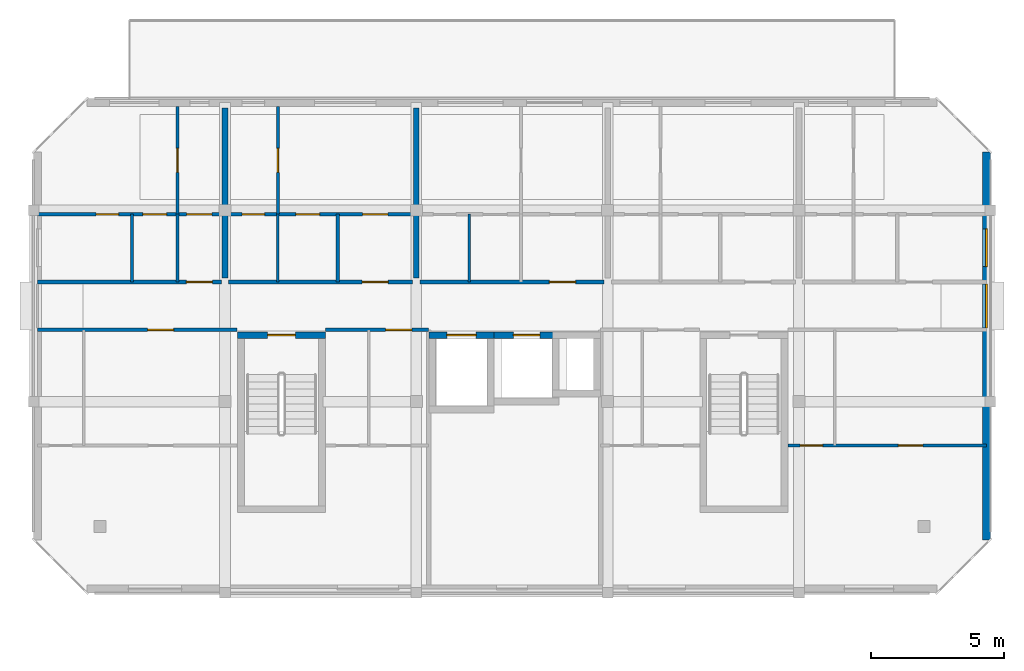
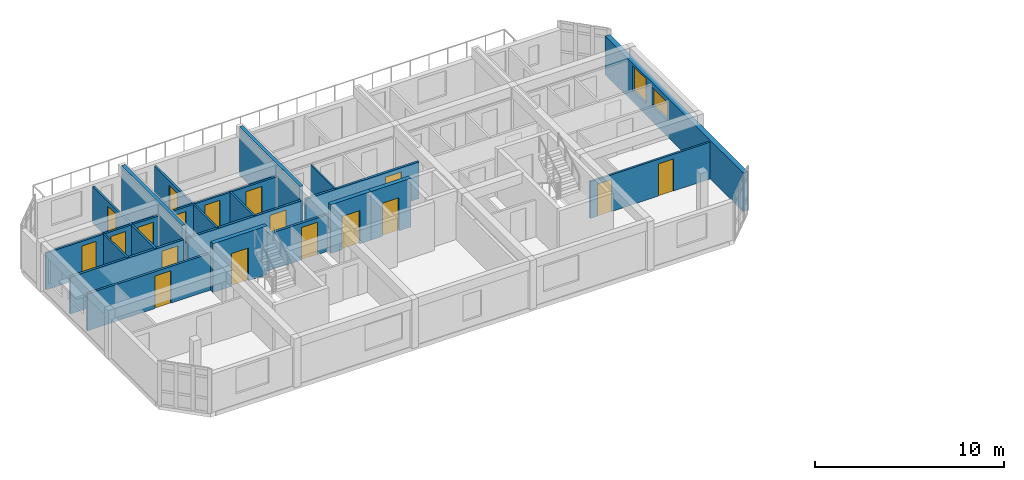
# One storey, part 11 of 16: 21 walls, 18 doors, 2 windows, 20 openings.
"""IFC4 building model written with IfcOpenShell, lengths in metres."""

from ifc_helpers import new_model, si_unit, direction, frame, frame_2d, origin, place, context, subcontext, project, spatial, rectangle, extrude, material, layer, layer_set, type_object, element, fill, save


model = new_model("IFC4")

# Units and contexts
model_context = context("Model", 3, precision=1e-05, world=origin(), true_north=direction((0.0, 1.0)))
body_context = subcontext(model_context, "Body", "Model", "MODEL_VIEW")
ifc_project = project(units=[si_unit("LENGTHUNIT", "METRE"), si_unit("AREAUNIT", "SQUARE_METRE"), si_unit("VOLUMEUNIT", "CUBIC_METRE"), si_unit("PLANEANGLEUNIT", "RADIAN"), si_unit("MASSUNIT", "GRAM", prefix="KILO")], contexts=[model_context])

# Site, building, storey
site_placement = place(None, origin())
site = spatial("IfcSite", under=ifc_project, at=site_placement, CompositionType="ELEMENT")
building_placement = place(site_placement, origin())
building = spatial("IfcBuilding", under=site, at=building_placement, Name="Ochrevale Crest", CompositionType="ELEMENT")
storey_placement = place(building_placement, frame((0.0, 0.0, 46.5)))
storey = spatial("IfcBuildingStorey", under=building, at=storey_placement, Name="L14", CompositionType="ELEMENT", Elevation=46.5)

# Wall, opening, door
ifc_material_1 = material(Name="Gypsum plasterboard", Category="gypsum")
ifc_layer_1 = layer(ifc_material_1, 0.139892578125)
ifc_layer_set_1 = layer_set([ifc_layer_1], Name="Gypsum plasterboard")
wall_type_1 = type_object("IfcWallType", Name="WL-COR-140", PredefinedType="PARTITIONING", material=ifc_layer_set_1)
wall_1_placement = place(storey_placement, frame((129.739990234375, 83.699951171875, 0.0), z_axis=(0.0, 0.0, 1.0), x_axis=(1.0, 0.0, 0.0)))
wall_1 = element("IfcWall", 1, at=wall_1_placement, inside=storey, type_object=wall_type_1, Name="Apartment D-L14-U1 corridor wall", PredefinedType="PARTITIONING", context=body_context, shape_type="SweptSolid", body=[
    extrude(rectangle(XDim=6.919921875, YDim=0.139892578125, at=frame_2d((3.4599609375, 0.0))), origin(), (0.0, 0.0, 1.0), 2.3798828125),
])
opening_1_placement = place(wall_1_placement, frame((6.5849609375, 0.0, 0.0), z_axis=(0.0, 0.0, 1.0), x_axis=(-1.0, 0.0, 0.0)))
opening_1 = element("IfcOpeningElement", 2, at=opening_1_placement, cuts=wall_1, Name="Opening FD01", PredefinedType="OPENING", context=body_context, shape_type="SweptSolid", body=[
    extrude(rectangle(XDim=0.97998046875, YDim=2.10009765625, at=frame_2d((0.489990234375, 1.050048828125))), frame((0.0, 0.080078125, 0.0), z_axis=(0.0, -1.0, 0.0), x_axis=(1.0, 0.0, 0.0)), (0.0, 0.0, 1.0), 0.159912109375),
])
ifc_material_2 = material(Name="Solid-core FSC hardwood", Category="wood")
door_type_1 = type_object("IfcDoorType", Name="DR-APT-950", OperationType="NOTDEFINED", PredefinedType="DOOR", material=ifc_material_2)
door_1_placement = place(opening_1_placement, origin())
door_1 = element("IfcDoor", 3, at=door_1_placement, inside=storey, type_object=door_type_1, Name="Apartment D-L14-U1 entrance door", OperationType="SINGLE_SWING_RIGHT", OverallHeight=2.10009765625, OverallWidth=0.97998046875, PredefinedType="DOOR", context=body_context, shape_type="SweptSolid", body=[
    extrude(rectangle(XDim=0.97998046875, YDim=2.10009765625, at=frame_2d((0.489990234375, 1.050048828125))), frame((0.0, 0.02490234375, 0.0), z_axis=(0.0, -1.0, 0.0), x_axis=(1.0, 0.0, 0.0)), (0.0, 0.0, 1.0), 0.050048828125),
])
fill(opening_1, door_1)

wall_2_placement = place(storey_placement, frame((136.93994140625, 83.699951171875, 0.0), z_axis=(0.0, 0.0, 1.0), x_axis=(1.0, 0.0, 0.0)))
wall_2 = element("IfcWall", 4, at=wall_2_placement, inside=storey, type_object=wall_type_1, Name="Apartment D-L14-U2 corridor wall", PredefinedType="PARTITIONING", context=body_context, shape_type="SweptSolid", body=[
    extrude(rectangle(XDim=6.920166015625, YDim=0.139892578125, at=frame_2d((3.4599609375, 0.0))), origin(), (0.0, 0.0, 1.0), 2.3798828125),
])
opening_2_placement = place(wall_2_placement, frame((5.02001953125, 0.0, 0.0)))
opening_2 = element("IfcOpeningElement", 5, at=opening_2_placement, cuts=wall_2, Name="Opening FD01", PredefinedType="OPENING", context=body_context, shape_type="SweptSolid", body=[
    extrude(rectangle(XDim=0.97998046875, YDim=2.10009765625, at=frame_2d((0.489990234375, 1.050048828125))), frame((0.0, 0.080078125, 0.0), z_axis=(0.0, -1.0, 0.0), x_axis=(1.0, 0.0, 0.0)), (0.0, 0.0, 1.0), 0.159912109375),
])
door_2_placement = place(opening_2_placement, origin())
door_2 = element("IfcDoor", 6, at=door_2_placement, inside=storey, type_object=door_type_1, Name="Apartment D-L14-U2 entrance door", OperationType="SINGLE_SWING_LEFT", OverallHeight=2.10009765625, OverallWidth=0.97998046875, PredefinedType="DOOR", context=body_context, shape_type="SweptSolid", body=[
    extrude(rectangle(XDim=0.97998046875, YDim=2.10009765625, at=frame_2d((0.489990234375, 1.050048828125))), frame((0.0, 0.02490234375, 0.0), z_axis=(0.0, -1.0, 0.0), x_axis=(1.0, 0.0, 0.0)), (0.0, 0.0, 1.0), 0.050048828125),
])
fill(opening_2, door_2)

wall_3_placement = place(storey_placement, frame((144.139892578125, 83.699951171875, 0.0), z_axis=(0.0, 0.0, 1.0), x_axis=(1.0, 0.0, 0.0)))
wall_3 = element("IfcWall", 7, at=wall_3_placement, inside=storey, type_object=wall_type_1, Name="Apartment D-L14-U3 corridor wall", PredefinedType="PARTITIONING", context=body_context, shape_type="SweptSolid", body=[
    extrude(rectangle(XDim=6.920166015625, YDim=0.139892578125, at=frame_2d((3.4599609375, 0.0))), origin(), (0.0, 0.0, 1.0), 2.3798828125),
])
opening_3_placement = place(wall_3_placement, frame((5.85009765625, 0.0, 0.0), z_axis=(0.0, 0.0, 1.0), x_axis=(-1.0, 0.0, 0.0)))
opening_3 = element("IfcOpeningElement", 8, at=opening_3_placement, cuts=wall_3, Name="Opening FD01", PredefinedType="OPENING", context=body_context, shape_type="SweptSolid", body=[
    extrude(rectangle(XDim=0.97998046875, YDim=2.10009765625, at=frame_2d((0.489990234375, 1.050048828125))), frame((0.0, 0.080078125, 0.0), z_axis=(0.0, -1.0, 0.0), x_axis=(1.0, 0.0, 0.0)), (0.0, 0.0, 1.0), 0.159912109375),
])
door_3_placement = place(opening_3_placement, origin())
door_3 = element("IfcDoor", 9, at=door_3_placement, inside=storey, type_object=door_type_1, Name="Apartment D-L14-U3 entrance door", OperationType="SINGLE_SWING_RIGHT", OverallHeight=2.10009765625, OverallWidth=0.97998046875, PredefinedType="DOOR", context=body_context, shape_type="SweptSolid", body=[
    extrude(rectangle(XDim=0.97998046875, YDim=2.10009765625, at=frame_2d((0.489990234375, 1.050048828125))), frame((0.0, 0.02490234375, 0.0), z_axis=(0.0, -1.0, 0.0), x_axis=(1.0, 0.0, 0.0)), (0.0, 0.0, 1.0), 0.050048828125),
])
fill(opening_3, door_3)

wall_4_placement = place(storey_placement, frame((129.739990234375, 81.89990234375, 0.0), z_axis=(0.0, 0.0, 1.0), x_axis=(1.0, 0.0, 0.0)))
wall_4 = element("IfcWall", 10, at=wall_4_placement, inside=storey, type_object=wall_type_1, Name="Suite D-L14-CW corridor wall", PredefinedType="PARTITIONING", context=body_context, shape_type="SweptSolid", body=[
    extrude(rectangle(XDim=7.52001953125, YDim=0.139892578125, at=frame_2d((3.760009765625, 0.0))), origin(), (0.0, 0.0, 1.0), 2.3798828125),
])
opening_4_placement = place(wall_4_placement, frame((4.14501953125, 0.0, 0.0)))
opening_4 = element("IfcOpeningElement", 11, at=opening_4_placement, cuts=wall_4, Name="Opening FD01", PredefinedType="OPENING", context=body_context, shape_type="SweptSolid", body=[
    extrude(rectangle(XDim=0.97998046875, YDim=2.10009765625, at=frame_2d((0.489990234375, 1.050048828125))), frame((0.0, 0.080078125, 0.0), z_axis=(0.0, -1.0, 0.0), x_axis=(1.0, 0.0, 0.0)), (0.0, 0.0, 1.0), 0.159912109375),
])
door_4_placement = place(opening_4_placement, origin())
door_4 = element("IfcDoor", 12, at=door_4_placement, inside=storey, type_object=door_type_1, Name="Suite D-L14-CW entrance door", OperationType="SINGLE_SWING_LEFT", OverallHeight=2.10009765625, OverallWidth=0.97998046875, PredefinedType="DOOR", context=body_context, shape_type="SweptSolid", body=[
    extrude(rectangle(XDim=0.97998046875, YDim=2.10009765625, at=frame_2d((0.489990234375, 1.050048828125))), frame((0.0, 0.02490234375, 0.0), z_axis=(0.0, -1.0, 0.0), x_axis=(1.0, 0.0, 0.0)), (0.0, 0.0, 1.0), 0.050048828125),
])
fill(opening_4, door_4)

wall_5_placement = place(storey_placement, frame((140.590087890625, 81.89990234375, 0.0), z_axis=(0.0, 0.0, 1.0), x_axis=(1.0, 0.0, 0.0)))
wall_5 = element("IfcWall", 13, at=wall_5_placement, inside=storey, type_object=wall_type_1, Name="Suite D-L14-MW corridor wall", PredefinedType="PARTITIONING", context=body_context, shape_type="SweptSolid", body=[
    extrude(rectangle(XDim=3.869873046875, YDim=0.139892578125, at=frame_2d((1.93505859375, 0.0))), origin(), (0.0, 0.0, 1.0), 2.3798828125),
])
opening_5_placement = place(wall_5_placement, frame((3.23779296875, 0.0, 0.0), z_axis=(0.0, 0.0, 1.0), x_axis=(-1.0, 0.0, 0.0)))
opening_5 = element("IfcOpeningElement", 14, at=opening_5_placement, cuts=wall_5, Name="Opening FD01", PredefinedType="OPENING", context=body_context, shape_type="SweptSolid", body=[
    extrude(rectangle(XDim=0.97998046875, YDim=2.10009765625, at=frame_2d((0.489990234375, 1.050048828125))), frame((0.0, 0.080078125, 0.0), z_axis=(0.0, -1.0, 0.0), x_axis=(1.0, 0.0, 0.0)), (0.0, 0.0, 1.0), 0.159912109375),
])
door_5_placement = place(opening_5_placement, origin())
door_5 = element("IfcDoor", 15, at=door_5_placement, inside=storey, type_object=door_type_1, Name="Suite D-L14-MW entrance door", OperationType="SINGLE_SWING_RIGHT", OverallHeight=2.10009765625, OverallWidth=0.97998046875, PredefinedType="DOOR", context=body_context, shape_type="SweptSolid", body=[
    extrude(rectangle(XDim=0.97998046875, YDim=2.10009765625, at=frame_2d((0.489990234375, 1.050048828125))), frame((0.0, 0.02490234375, 0.0), z_axis=(0.0, -1.0, 0.0), x_axis=(1.0, 0.0, 0.0)), (0.0, 0.0, 1.0), 0.050048828125),
])
fill(opening_5, door_5)

ifc_material_3 = material(Name="Precast concrete C50/60", Category="concrete")
ifc_layer_2 = layer(ifc_material_3, 0.2548828125)
ifc_layer_set_2 = layer_set([ifc_layer_2], Name="Precast concrete C50/60")
wall_type_2 = type_object("IfcWallType", Name="WL-CORE-255", PredefinedType="SHEAR", material=ifc_layer_set_2)
wall_6_placement = place(storey_placement, frame((137.2724609375, 81.699951171875, 0.0), z_axis=(0.0, 0.0, 1.0), x_axis=(1.0, 0.0, 0.0)))
wall_6 = element("IfcWall", 16, at=wall_6_placement, inside=storey, type_object=wall_type_2, Name="Block D L14 Stair 1 precast core shear wall N", PredefinedType="SHEAR", context=body_context, shape_type="SweptSolid", body=[
    extrude(rectangle(XDim=3.304931640625, YDim=0.2548828125, at=frame_2d((1.65234375, 0.0))), origin(), (0.0, 0.0, 1.0), 3.14990234375),
])
opening_6_placement = place(wall_6_placement, frame((2.177490234375, 0.0, 0.0), z_axis=(0.0, 0.0, 1.0), x_axis=(-1.0, 0.0, 0.0)))
opening_6 = element("IfcOpeningElement", 17, at=opening_6_placement, cuts=wall_6, Name="Opening FD03", PredefinedType="OPENING", context=body_context, shape_type="SweptSolid", body=[
    extrude(rectangle(XDim=1.050048828125, YDim=2.1201171875, at=frame_2d((0.52490234375, 1.06005859375))), frame((0.0, 0.137451171875, 0.0), z_axis=(0.0, -1.0, 0.0), x_axis=(1.0, 0.0, 0.0)), (0.0, 0.0, 1.0), 0.27490234375),
])
door_type_2 = type_object("IfcDoorType", Name="DR-ST-1050", OperationType="NOTDEFINED", PredefinedType="DOOR", material=ifc_material_2)
door_6_placement = place(opening_6_placement, origin())
door_6 = element("IfcDoor", 18, at=door_6_placement, inside=storey, type_object=door_type_2, Name="Block D L14 fire stair 1 door", OperationType="SINGLE_SWING_RIGHT", OverallHeight=2.1201171875, OverallWidth=1.050048828125, PredefinedType="DOOR", context=body_context, shape_type="SweptSolid", body=[
    extrude(rectangle(XDim=1.050048828125, YDim=2.1201171875, at=frame_2d((0.52490234375, 1.06005859375))), frame((0.0, 0.02490234375, 0.0), z_axis=(0.0, -1.0, 0.0), x_axis=(1.0, 0.0, 0.0)), (0.0, 0.0, 1.0), 0.050048828125),
])
fill(opening_6, door_6)

wall_7_placement = place(storey_placement, frame((144.472412109375, 81.699951171875, 0.0), z_axis=(0.0, 0.0, 1.0), x_axis=(1.0, 0.0, 0.0)))
wall_7 = element("IfcWall", 19, at=wall_7_placement, inside=storey, type_object=wall_type_2, Name="Block D L14 Lift 1 precast shaft shear wall N", PredefinedType="SHEAR", context=body_context, shape_type="SweptSolid", body=[
    extrude(rectangle(XDim=2.455078125, YDim=0.2548828125, at=frame_2d((1.2275390625, 0.0))), origin(), (0.0, 0.0, 1.0), 3.14990234375),
])
opening_7_placement = place(wall_7_placement, frame((0.677490234375, 0.0, 0.0)))
opening_7 = element("IfcOpeningElement", 20, at=opening_7_placement, cuts=wall_7, Name="Opening LD01", PredefinedType="OPENING", context=body_context, shape_type="SweptSolid", body=[
    extrude(rectangle(XDim=1.10009765625, YDim=2.14990234375, at=frame_2d((0.550048828125, 1.074951171875))), frame((0.0, 0.137451171875, 0.0), z_axis=(0.0, -1.0, 0.0), x_axis=(1.0, 0.0, 0.0)), (0.0, 0.0, 1.0), 0.27490234375),
])
door_type_3 = type_object("IfcDoorType", Name="DR-LIFT-1100", OperationType="NOTDEFINED", PredefinedType="DOOR", material=ifc_material_2)
door_7_placement = place(opening_7_placement, origin())
door_7 = element("IfcDoor", 21, at=door_7_placement, inside=storey, type_object=door_type_3, Name="Lift LF-D1 L14 sliding landing door", OperationType="SLIDING_TO_LEFT", OverallHeight=2.14990234375, OverallWidth=1.10009765625, PredefinedType="DOOR", context=body_context, shape_type="SweptSolid", body=[
    extrude(rectangle(XDim=1.10009765625, YDim=2.14990234375, at=frame_2d((0.550048828125, 1.074951171875))), frame((0.0, 0.02490234375, 0.0), z_axis=(0.0, -1.0, 0.0), x_axis=(1.0, 0.0, 0.0)), (0.0, 0.0, 1.0), 0.050048828125),
])
fill(opening_7, door_7)

wall_8_placement = place(storey_placement, frame((146.922607421875, 81.699951171875, 0.0), z_axis=(0.0, 0.0, 1.0), x_axis=(1.0, 0.0, 0.0)))
wall_8 = element("IfcWall", 22, at=wall_8_placement, inside=storey, type_object=wall_type_2, Name="Block D L14 Lift 2 precast shaft shear wall N", PredefinedType="SHEAR", context=body_context, shape_type="SweptSolid", body=[
    extrude(rectangle(XDim=2.454833984375, YDim=0.2548828125, at=frame_2d((1.2275390625, 0.0))), origin(), (0.0, 0.0, 1.0), 3.14990234375),
])
opening_8_placement = place(wall_8_placement, frame((0.7275390625, 0.0, 0.0)))
opening_8 = element("IfcOpeningElement", 23, at=opening_8_placement, cuts=wall_8, Name="Opening LD02", PredefinedType="OPENING", context=body_context, shape_type="SweptSolid", body=[
    extrude(rectangle(XDim=1.0, YDim=2.14990234375, at=frame_2d((0.5, 1.074951171875))), frame((0.0, 0.137451171875, 0.0), z_axis=(0.0, -1.0, 0.0), x_axis=(1.0, 0.0, 0.0)), (0.0, 0.0, 1.0), 0.27490234375),
])
door_type_4 = type_object("IfcDoorType", Name="DR-LIFT-1000", OperationType="NOTDEFINED", PredefinedType="DOOR", material=ifc_material_2)
door_8_placement = place(opening_8_placement, origin())
door_8 = element("IfcDoor", 24, at=door_8_placement, inside=storey, type_object=door_type_4, Name="Lift LP-D2 L14 sliding landing door", OperationType="SLIDING_TO_RIGHT", OverallHeight=2.14990234375, OverallWidth=1.0, PredefinedType="DOOR", context=body_context, shape_type="SweptSolid", body=[
    extrude(rectangle(XDim=1.0, YDim=2.14990234375, at=frame_2d((0.5, 1.074951171875))), frame((0.0, 0.02490234375, 0.0), z_axis=(0.0, -1.0, 0.0), x_axis=(1.0, 0.0, 0.0)), (0.0, 0.0, 1.0), 0.050048828125),
])
fill(opening_8, door_8)

# Wall, openings, windows
ifc_material_4 = material(Name="Clay face brickwork", Category="masonry")
ifc_layer_3 = layer(ifc_material_4, 0.2900390625)
ifc_layer_set_3 = layer_set([ifc_layer_3], Name="Clay face brickwork")
wall_type_3 = type_object("IfcWallType", Name="WL-EXT-BRICK-290", PredefinedType="SOLIDWALL", material=ifc_layer_set_3)
wall_9_placement = place(storey_placement, frame((165.455078125, 74.0, 0.0), z_axis=(0.0, 0.0, 1.0), x_axis=(0.0, 1.0, 0.0)))
wall_9 = element("IfcWall", 25, at=wall_9_placement, inside=storey, type_object=wall_type_3, Name="Block D L14 external facade wall E3", PredefinedType="SOLIDWALL", context=body_context, shape_type="SweptSolid", body=[
    extrude(rectangle(XDim=14.60009765625, YDim=0.2900390625, at=frame_2d((7.300048828125, 0.0))), origin(), (0.0, 0.0, 1.0), 2.510009765625),
])
opening_9_placement = place(wall_9_placement, frame((7.97509765625, 0.0, 1.050048828125)))
opening_9 = element("IfcOpeningElement", 26, at=opening_9_placement, cuts=wall_9, Name="Opening W19", PredefinedType="OPENING", context=body_context, shape_type="SweptSolid", body=[
    extrude(rectangle(XDim=1.64990234375, YDim=1.14990234375, at=frame_2d((0.824951171875, 0.574951171875))), frame((0.0, 0.155029296875, 0.0), z_axis=(0.0, -1.0, 0.0), x_axis=(1.0, 0.0, 0.0)), (0.0, 0.0, 1.0), 0.31005859375),
])
opening_10_placement = place(wall_9_placement, frame((10.27490234375, 0.0, 0.75)))
opening_10 = element("IfcOpeningElement", 27, at=opening_10_placement, cuts=wall_9, Name="Opening W31", PredefinedType="OPENING", context=body_context, shape_type="SweptSolid", body=[
    extrude(rectangle(XDim=1.419921875, YDim=1.60009765625, at=frame_2d((0.7099609375, 0.800048828125))), frame((0.0, 0.155029296875, 0.0), z_axis=(0.0, -1.0, 0.0), x_axis=(1.0, 0.0, 0.0)), (0.0, 0.0, 1.0), 0.31005859375),
])
ifc_material_5 = material(Name="Anodised aluminium 6063-T5 and low-E double glazing", Category="aluminium")
window_type_1 = type_object("IfcWindowType", Name="WIN-W19", PartitioningType="SINGLE_PANEL", PredefinedType="WINDOW", material=ifc_material_5)
window_1_placement = place(opening_9_placement, origin())
window_1 = element("IfcWindow", 28, at=window_1_placement, inside=storey, type_object=window_type_1, Name="Block D L14 corridor end daylight window E", OverallHeight=1.14990234375, OverallWidth=1.64990234375, PartitioningType="SINGLE_PANEL", PredefinedType="WINDOW", context=body_context, shape_type="SweptSolid", body=[
    extrude(rectangle(XDim=1.64990234375, YDim=1.14990234375, at=frame_2d((0.824951171875, 0.574951171875))), frame((0.0, 0.030029296875, 0.0), z_axis=(0.0, -1.0, 0.0), x_axis=(1.0, 0.0, 0.0)), (0.0, 0.0, 1.0), 0.06005859375),
])
fill(opening_9, window_1)
window_type_2 = type_object("IfcWindowType", Name="WIN-W31", PartitioningType="SINGLE_PANEL", PredefinedType="WINDOW", material=ifc_material_5)
window_2_placement = place(opening_10_placement, origin())
window_2 = element("IfcWindow", 29, at=window_2_placement, inside=storey, type_object=window_type_2, Name="Block D L14 side suite window E", OverallHeight=1.60009765625, OverallWidth=1.419921875, PartitioningType="SINGLE_PANEL", PredefinedType="WINDOW", context=body_context, shape_type="SweptSolid", body=[
    extrude(rectangle(XDim=1.419921875, YDim=1.60009765625, at=frame_2d((0.7099609375, 0.800048828125))), frame((0.0, 0.030029296875, 0.0), z_axis=(0.0, -1.0, 0.0), x_axis=(1.0, 0.0, 0.0)), (0.0, 0.0, 1.0), 0.06005859375),
])
fill(opening_10, window_2)

# Wall
ifc_layer_4 = layer(ifc_material_1, 0.1201171875)
ifc_layer_set_4 = layer_set([ifc_layer_4], Name="Gypsum plasterboard")
wall_type_4 = type_object("IfcWallType", Name="WL-PART-120", PredefinedType="PARTITIONING", material=ifc_layer_set_4)
wall_10_placement = place(storey_placement, frame((135.010009765625, 83.699951171875, 0.0), z_axis=(0.0, 0.0, 1.0), x_axis=(0.0, 1.0, 0.0)))
element("IfcWall", 30, at=wall_10_placement, inside=storey, type_object=wall_type_4, Name="Apartment D-L14-U1 kitchen-foyer wall", PredefinedType="PARTITIONING", context=body_context, shape_type="SweptSolid", body=[
    extrude(rectangle(XDim=2.550048828125, YDim=0.1201171875, at=frame_2d((1.27490234375, 0.0))), origin(), (0.0, 0.0, 1.0), 2.3798828125),
])

# Wall, openings, doors
wall_11_placement = place(storey_placement, frame((129.739990234375, 86.25, 0.0), z_axis=(0.0, 0.0, 1.0), x_axis=(1.0, 0.0, 0.0)))
wall_11 = element("IfcWall", 31, at=wall_11_placement, inside=storey, type_object=wall_type_4, Name="Apartment D-L14-U1 central partition", PredefinedType="PARTITIONING", context=body_context, shape_type="SweptSolid", body=[
    extrude(rectangle(XDim=6.919921875, YDim=0.1201171875, at=frame_2d((3.4599609375, 0.0))), origin(), (0.0, 0.0, 1.0), 2.3798828125),
])
opening_11_placement = place(wall_11_placement, frame((2.2099609375, 0.0, 0.0)))
opening_11 = element("IfcOpeningElement", 32, at=opening_11_placement, cuts=wall_11, Name="Opening ID01", PredefinedType="OPENING", context=body_context, shape_type="SweptSolid", body=[
    extrude(rectangle(XDim=0.85009765625, YDim=2.080078125, at=frame_2d((0.425048828125, 1.0400390625))), frame((0.0, 0.070068359375, 0.0), z_axis=(0.0, -1.0, 0.0), x_axis=(1.0, 0.0, 0.0)), (0.0, 0.0, 1.0), 0.14013671875),
])
opening_12_placement = place(wall_11_placement, frame((4.864990234375, 0.0, 0.0), z_axis=(0.0, 0.0, 1.0), x_axis=(-1.0, 0.0, 0.0)))
opening_12 = element("IfcOpeningElement", 33, at=opening_12_placement, cuts=wall_11, Name="Opening ID02", PredefinedType="OPENING", context=body_context, shape_type="SweptSolid", body=[
    extrude(rectangle(XDim=0.89990234375, YDim=2.080078125, at=frame_2d((0.449951171875, 1.0400390625))), frame((0.0, 0.070068359375, 0.0), z_axis=(0.0, -1.0, 0.0), x_axis=(1.0, 0.0, 0.0)), (0.0, 0.0, 1.0), 0.14013671875),
])
opening_13_placement = place(wall_11_placement, frame((5.6201171875, 0.0, 0.0)))
opening_13 = element("IfcOpeningElement", 34, at=opening_13_placement, cuts=wall_11, Name="Opening ID06", PredefinedType="OPENING", context=body_context, shape_type="SweptSolid", body=[
    extrude(rectangle(XDim=0.949951171875, YDim=2.080078125, at=frame_2d((0.47509765625, 1.0400390625))), frame((0.0, 0.070068359375, 0.0), z_axis=(0.0, -1.0, 0.0), x_axis=(1.0, 0.0, 0.0)), (0.0, 0.0, 1.0), 0.14013671875),
])
door_type_5 = type_object("IfcDoorType", Name="DR-INT-900", OperationType="NOTDEFINED", PredefinedType="DOOR", material=ifc_material_2)
door_9_placement = place(opening_12_placement, origin())
door_9 = element("IfcDoor", 35, at=door_9_placement, inside=storey, type_object=door_type_5, Name="Apartment D-L14-U1 Kitchen door", OperationType="SINGLE_SWING_RIGHT", OverallHeight=2.080078125, OverallWidth=0.89990234375, PredefinedType="DOOR", context=body_context, shape_type="SweptSolid", body=[
    extrude(rectangle(XDim=0.89990234375, YDim=2.080078125, at=frame_2d((0.449951171875, 1.0400390625))), frame((0.0, 0.02490234375, 0.0), z_axis=(0.0, -1.0, 0.0), x_axis=(1.0, 0.0, 0.0)), (0.0, 0.0, 1.0), 0.050048828125),
])
fill(opening_12, door_9)
door_type_6 = type_object("IfcDoorType", Name="DR-INT-950", OperationType="NOTDEFINED", PredefinedType="DOOR", material=ifc_material_2)
door_10_placement = place(opening_13_placement, origin())
door_10 = element("IfcDoor", 36, at=door_10_placement, inside=storey, type_object=door_type_6, Name="Apartment D-L14-U1 Living Foyer door", OperationType="SINGLE_SWING_LEFT", OverallHeight=2.080078125, OverallWidth=0.949951171875, PredefinedType="DOOR", context=body_context, shape_type="SweptSolid", body=[
    extrude(rectangle(XDim=0.949951171875, YDim=2.080078125, at=frame_2d((0.47509765625, 1.0400390625))), frame((0.0, 0.02490234375, 0.0), z_axis=(0.0, -1.0, 0.0), x_axis=(1.0, 0.0, 0.0)), (0.0, 0.0, 1.0), 0.050048828125),
])
fill(opening_13, door_10)
door_type_7 = type_object("IfcDoorType", Name="DR-WC-850", OperationType="NOTDEFINED", PredefinedType="DOOR", material=ifc_material_2)
door_11_placement = place(opening_11_placement, origin())
door_11 = element("IfcDoor", 37, at=door_11_placement, inside=storey, type_object=door_type_7, Name="Apartment D-L14-U1 Bathroom door", OperationType="SINGLE_SWING_LEFT", OverallHeight=2.080078125, OverallWidth=0.85009765625, PredefinedType="DOOR", context=body_context, shape_type="SweptSolid", body=[
    extrude(rectangle(XDim=0.85009765625, YDim=2.080078125, at=frame_2d((0.425048828125, 1.0400390625))), frame((0.0, 0.02490234375, 0.0), z_axis=(0.0, -1.0, 0.0), x_axis=(1.0, 0.0, 0.0)), (0.0, 0.0, 1.0), 0.050048828125),
])
fill(opening_11, door_11)

# Wall, opening, door
wall_12_placement = place(storey_placement, frame((135.010009765625, 86.25, 0.0), z_axis=(0.0, 0.0, 1.0), x_axis=(0.0, 1.0, 0.0)))
wall_12 = element("IfcWall", 38, at=wall_12_placement, inside=storey, type_object=wall_type_4, Name="Apartment D-L14-U1 bedroom partition", PredefinedType="PARTITIONING", context=body_context, shape_type="SweptSolid", body=[
    extrude(rectangle(XDim=4.050048828125, YDim=0.1201171875, at=frame_2d((2.02490234375, 0.0))), origin(), (0.0, 0.0, 1.0), 2.3798828125),
])
opening_14_placement = place(wall_12_placement, frame((2.474853515625, 0.0, 0.0), z_axis=(0.0, 0.0, 1.0), x_axis=(-1.0, 0.0, 0.0)))
opening_14 = element("IfcOpeningElement", 39, at=opening_14_placement, cuts=wall_12, Name="Opening ID02", PredefinedType="OPENING", context=body_context, shape_type="SweptSolid", body=[
    extrude(rectangle(XDim=0.89990234375, YDim=2.080078125, at=frame_2d((0.449951171875, 1.0400390625))), frame((0.0, 0.070068359375, 0.0), z_axis=(0.0, -1.0, 0.0), x_axis=(1.0, 0.0, 0.0)), (0.0, 0.0, 1.0), 0.14013671875),
])
door_12_placement = place(opening_14_placement, origin())
door_12 = element("IfcDoor", 40, at=door_12_placement, inside=storey, type_object=door_type_5, Name="Apartment D-L14-U1 Master Bedroom door", OperationType="SINGLE_SWING_RIGHT", OverallHeight=2.080078125, OverallWidth=0.89990234375, PredefinedType="DOOR", context=body_context, shape_type="SweptSolid", body=[
    extrude(rectangle(XDim=0.89990234375, YDim=2.080078125, at=frame_2d((0.449951171875, 1.0400390625))), frame((0.0, 0.02490234375, 0.0), z_axis=(0.0, -1.0, 0.0), x_axis=(1.0, 0.0, 0.0)), (0.0, 0.0, 1.0), 0.050048828125),
])
fill(opening_14, door_12)

# Wall
wall_13_placement = place(storey_placement, frame((141.0400390625, 83.699951171875, 0.0), z_axis=(0.0, 0.0, 1.0), x_axis=(0.0, 1.0, 0.0)))
element("IfcWall", 41, at=wall_13_placement, inside=storey, type_object=wall_type_4, Name="Apartment D-L14-U2 kitchen-foyer wall", PredefinedType="PARTITIONING", context=body_context, shape_type="SweptSolid", body=[
    extrude(rectangle(XDim=2.550048828125, YDim=0.1201171875, at=frame_2d((1.27490234375, 0.0))), origin(), (0.0, 0.0, 1.0), 2.3798828125),
])

# Wall, openings, doors
wall_14_placement = place(storey_placement, frame((136.93994140625, 86.25, 0.0), z_axis=(0.0, 0.0, 1.0), x_axis=(1.0, 0.0, 0.0)))
wall_14 = element("IfcWall", 42, at=wall_14_placement, inside=storey, type_object=wall_type_4, Name="Apartment D-L14-U2 central partition", PredefinedType="PARTITIONING", context=body_context, shape_type="SweptSolid", body=[
    extrude(rectangle(XDim=6.920166015625, YDim=0.1201171875, at=frame_2d((3.4599609375, 0.0))), origin(), (0.0, 0.0, 1.0), 2.3798828125),
])
opening_15_placement = place(wall_14_placement, frame((1.35009765625, 0.0, 0.0), z_axis=(0.0, 0.0, 1.0), x_axis=(-1.0, 0.0, 0.0)))
opening_15 = element("IfcOpeningElement", 43, at=opening_15_placement, cuts=wall_14, Name="Opening ID01", PredefinedType="OPENING", context=body_context, shape_type="SweptSolid", body=[
    extrude(rectangle(XDim=0.85009765625, YDim=2.080078125, at=frame_2d((0.425048828125, 1.0400390625))), frame((0.0, 0.070068359375, 0.0), z_axis=(0.0, -1.0, 0.0), x_axis=(1.0, 0.0, 0.0)), (0.0, 0.0, 1.0), 0.14013671875),
])
opening_16_placement = place(wall_14_placement, frame((2.52490234375, 0.0, 0.0)))
opening_16 = element("IfcOpeningElement", 44, at=opening_16_placement, cuts=wall_14, Name="Opening ID02", PredefinedType="OPENING", context=body_context, shape_type="SweptSolid", body=[
    extrude(rectangle(XDim=0.89990234375, YDim=2.080078125, at=frame_2d((0.449951171875, 1.0400390625))), frame((0.0, 0.070068359375, 0.0), z_axis=(0.0, -1.0, 0.0), x_axis=(1.0, 0.0, 0.0)), (0.0, 0.0, 1.0), 0.14013671875),
])
opening_17_placement = place(wall_14_placement, frame((5.98486328125, 0.0, 0.0), z_axis=(0.0, 0.0, 1.0), x_axis=(-1.0, 0.0, 0.0)))
opening_17 = element("IfcOpeningElement", 45, at=opening_17_placement, cuts=wall_14, Name="Opening ID06", PredefinedType="OPENING", context=body_context, shape_type="SweptSolid", body=[
    extrude(rectangle(XDim=0.949951171875, YDim=2.080078125, at=frame_2d((0.47509765625, 1.0400390625))), frame((0.0, 0.070068359375, 0.0), z_axis=(0.0, -1.0, 0.0), x_axis=(1.0, 0.0, 0.0)), (0.0, 0.0, 1.0), 0.14013671875),
])
door_13_placement = place(opening_16_placement, origin())
door_13 = element("IfcDoor", 46, at=door_13_placement, inside=storey, type_object=door_type_5, Name="Apartment D-L14-U2 Kitchen door", OperationType="SINGLE_SWING_LEFT", OverallHeight=2.080078125, OverallWidth=0.89990234375, PredefinedType="DOOR", context=body_context, shape_type="SweptSolid", body=[
    extrude(rectangle(XDim=0.89990234375, YDim=2.080078125, at=frame_2d((0.449951171875, 1.0400390625))), frame((0.0, 0.02490234375, 0.0), z_axis=(0.0, -1.0, 0.0), x_axis=(1.0, 0.0, 0.0)), (0.0, 0.0, 1.0), 0.050048828125),
])
fill(opening_16, door_13)
door_14_placement = place(opening_17_placement, origin())
door_14 = element("IfcDoor", 47, at=door_14_placement, inside=storey, type_object=door_type_6, Name="Apartment D-L14-U2 Living Foyer door", OperationType="SINGLE_SWING_RIGHT", OverallHeight=2.080078125, OverallWidth=0.949951171875, PredefinedType="DOOR", context=body_context, shape_type="SweptSolid", body=[
    extrude(rectangle(XDim=0.949951171875, YDim=2.080078125, at=frame_2d((0.47509765625, 1.0400390625))), frame((0.0, 0.02490234375, 0.0), z_axis=(0.0, -1.0, 0.0), x_axis=(1.0, 0.0, 0.0)), (0.0, 0.0, 1.0), 0.050048828125),
])
fill(opening_17, door_14)
door_15_placement = place(opening_15_placement, origin())
door_15 = element("IfcDoor", 48, at=door_15_placement, inside=storey, type_object=door_type_7, Name="Apartment D-L14-U2 Bathroom door", OperationType="SINGLE_SWING_RIGHT", OverallHeight=2.080078125, OverallWidth=0.85009765625, PredefinedType="DOOR", context=body_context, shape_type="SweptSolid", body=[
    extrude(rectangle(XDim=0.85009765625, YDim=2.080078125, at=frame_2d((0.425048828125, 1.0400390625))), frame((0.0, 0.02490234375, 0.0), z_axis=(0.0, -1.0, 0.0), x_axis=(1.0, 0.0, 0.0)), (0.0, 0.0, 1.0), 0.050048828125),
])
fill(opening_15, door_15)

# Wall, opening, door
wall_15_placement = place(storey_placement, frame((138.7900390625, 86.25, 0.0), z_axis=(0.0, 0.0, 1.0), x_axis=(0.0, 1.0, 0.0)))
wall_15 = element("IfcWall", 49, at=wall_15_placement, inside=storey, type_object=wall_type_4, Name="Apartment D-L14-U2 bedroom partition", PredefinedType="PARTITIONING", context=body_context, shape_type="SweptSolid", body=[
    extrude(rectangle(XDim=4.050048828125, YDim=0.1201171875, at=frame_2d((2.02490234375, 0.0))), origin(), (0.0, 0.0, 1.0), 2.3798828125),
])
opening_18_placement = place(wall_15_placement, frame((1.574951171875, 0.0, 0.0)))
opening_18 = element("IfcOpeningElement", 50, at=opening_18_placement, cuts=wall_15, Name="Opening ID02", PredefinedType="OPENING", context=body_context, shape_type="SweptSolid", body=[
    extrude(rectangle(XDim=0.89990234375, YDim=2.080078125, at=frame_2d((0.449951171875, 1.0400390625))), frame((0.0, 0.070068359375, 0.0), z_axis=(0.0, -1.0, 0.0), x_axis=(1.0, 0.0, 0.0)), (0.0, 0.0, 1.0), 0.14013671875),
])
door_16_placement = place(opening_18_placement, origin())
door_16 = element("IfcDoor", 51, at=door_16_placement, inside=storey, type_object=door_type_5, Name="Apartment D-L14-U2 Twin Bedroom door", OperationType="SINGLE_SWING_LEFT", OverallHeight=2.080078125, OverallWidth=0.89990234375, PredefinedType="DOOR", context=body_context, shape_type="SweptSolid", body=[
    extrude(rectangle(XDim=0.89990234375, YDim=2.080078125, at=frame_2d((0.449951171875, 1.0400390625))), frame((0.0, 0.02490234375, 0.0), z_axis=(0.0, -1.0, 0.0), x_axis=(1.0, 0.0, 0.0)), (0.0, 0.0, 1.0), 0.050048828125),
])
fill(opening_18, door_16)

# Wall, openings, doors
wall_16_placement = place(storey_placement, frame((157.989990234375, 77.550048828125, 0.0), z_axis=(0.0, 0.0, 1.0), x_axis=(1.0, 0.0, 0.0)))
wall_16 = element("IfcWall", 52, at=wall_16_placement, inside=storey, type_object=wall_type_4, Name="Suite D-L14-CE internal wall", PredefinedType="PARTITIONING", context=body_context, shape_type="SweptSolid", body=[
    extrude(rectangle(XDim=7.469970703125, YDim=0.1201171875, at=frame_2d((3.73486328125, 0.0))), origin(), (0.0, 0.0, 1.0), 2.3798828125),
])
opening_19_placement = place(wall_16_placement, frame((0.449951171875, 0.0, 0.0)))
opening_19 = element("IfcOpeningElement", 53, at=opening_19_placement, cuts=wall_16, Name="Opening ID01", PredefinedType="OPENING", context=body_context, shape_type="SweptSolid", body=[
    extrude(rectangle(XDim=0.85009765625, YDim=2.080078125, at=frame_2d((0.425048828125, 1.0400390625))), frame((0.0, 0.070068359375, 0.0), z_axis=(0.0, -1.0, 0.0), x_axis=(1.0, 0.0, 0.0)), (0.0, 0.0, 1.0), 0.14013671875),
])
opening_20_placement = place(wall_16_placement, frame((5.06982421875, 0.0, 0.0), z_axis=(0.0, 0.0, 1.0), x_axis=(-1.0, 0.0, 0.0)))
opening_20 = element("IfcOpeningElement", 54, at=opening_20_placement, cuts=wall_16, Name="Opening ID04", PredefinedType="OPENING", context=body_context, shape_type="SweptSolid", body=[
    extrude(rectangle(XDim=0.919921875, YDim=2.080078125, at=frame_2d((0.4599609375, 1.0400390625))), frame((0.0, 0.070068359375, 0.0), z_axis=(0.0, -1.0, 0.0), x_axis=(1.0, 0.0, 0.0)), (0.0, 0.0, 1.0), 0.14013671875),
])
door_type_8 = type_object("IfcDoorType", Name="DR-INT-920", OperationType="NOTDEFINED", PredefinedType="DOOR", material=ifc_material_2)
door_17_placement = place(opening_20_placement, origin())
door_17 = element("IfcDoor", 55, at=door_17_placement, inside=storey, type_object=door_type_8, Name="Suite D-L14-CE Master Bedroom door", OperationType="SINGLE_SWING_RIGHT", OverallHeight=2.080078125, OverallWidth=0.919921875, PredefinedType="DOOR", context=body_context, shape_type="SweptSolid", body=[
    extrude(rectangle(XDim=0.919921875, YDim=2.080078125, at=frame_2d((0.4599609375, 1.0400390625))), frame((0.0, 0.02490234375, 0.0), z_axis=(0.0, -1.0, 0.0), x_axis=(1.0, 0.0, 0.0)), (0.0, 0.0, 1.0), 0.050048828125),
])
fill(opening_20, door_17)
door_18_placement = place(opening_19_placement, origin())
door_18 = element("IfcDoor", 56, at=door_18_placement, inside=storey, type_object=door_type_7, Name="Suite D-L14-CE Bathroom door", OperationType="SINGLE_SWING_LEFT", OverallHeight=2.080078125, OverallWidth=0.85009765625, PredefinedType="DOOR", context=body_context, shape_type="SweptSolid", body=[
    extrude(rectangle(XDim=0.85009765625, YDim=2.080078125, at=frame_2d((0.425048828125, 1.0400390625))), frame((0.0, 0.02490234375, 0.0), z_axis=(0.0, -1.0, 0.0), x_axis=(1.0, 0.0, 0.0)), (0.0, 0.0, 1.0), 0.050048828125),
])
fill(opening_19, door_18)

# Walls
ifc_material_6 = material(Name="Precast concrete C40/50", Category="concrete")
ifc_layer_5 = layer(ifc_material_6, 0.2099609375)
ifc_layer_set_5 = layer_set([ifc_layer_5], Name="Precast concrete C40/50")
wall_type_5 = type_object("IfcWallType", Name="WL-SHEAR-210", PredefinedType="SHEAR", material=ifc_layer_set_5)
for number, where, z_axis, x_axis, name in (
    (57, (136.800048828125, 83.85009765625, 0.0), (0.0, 0.0, 1.0), (0.0, 1.0, 0.0), "Block D L14 load-bearing precast cross-wall X=136.8"),
    (58, (144.0, 83.85009765625, 0.0), (0.0, 0.0, 1.0), (0.0, 1.0, 0.0), "Block D L14 load-bearing precast cross-wall X=144.0"),
):
    element("IfcWall", number, at=place(storey_placement, frame(where, z_axis=z_axis, x_axis=x_axis)), inside=storey, type_object=wall_type_5, Name=name, PredefinedType="SHEAR", context=body_context, shape_type="SweptSolid", body=[
        extrude(rectangle(XDim=6.39990234375, YDim=0.2099609375, at=frame_2d((3.199951171875, 0.0))), origin(), (0.0, 0.0, 1.0), 3.14990234375),
    ])
ifc_layer_6 = layer(ifc_material_1, 0.10009765625)
ifc_layer_set_6 = layer_set([ifc_layer_6], Name="Gypsum plasterboard")
wall_type_6 = type_object("IfcWallType", Name="WL-WET-100", PredefinedType="PARTITIONING", material=ifc_layer_set_6)
for number, where, z_axis, x_axis, name in (
    (59, (133.300048828125, 83.699951171875, 0.0), (0.0, 0.0, 1.0), (0.0, 1.0, 0.0), "Apartment D-L14-U1 bath-kitchen wall"),
    (60, (138.7900390625, 83.699951171875, 0.0), (0.0, 0.0, 1.0), (0.0, 1.0, 0.0), "Apartment D-L14-U2 bath-kitchen wall"),
    (61, (145.989990234375, 83.699951171875, 0.0), (0.0, 0.0, 1.0), (0.0, 1.0, 0.0), "Apartment D-L14-U3 bath-kitchen wall"),
):
    element("IfcWall", number, at=place(storey_placement, frame(where, z_axis=z_axis, x_axis=x_axis)), inside=storey, type_object=wall_type_6, Name=name, PredefinedType="PARTITIONING", context=body_context, shape_type="SweptSolid", body=[
        extrude(rectangle(XDim=2.550048828125, YDim=0.10009765625, at=frame_2d((1.27490234375, 0.0))), origin(), (0.0, 0.0, 1.0), 2.3798828125),
    ])

save(model, "model.ifc")
